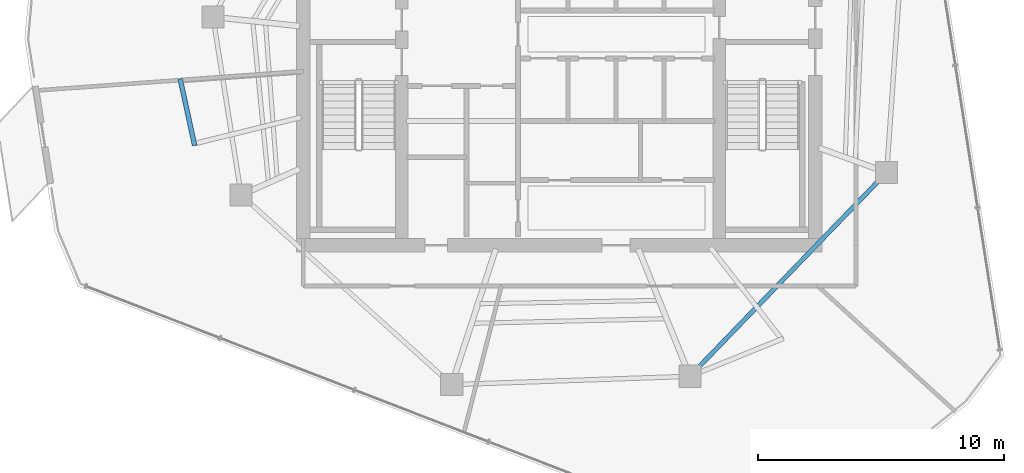
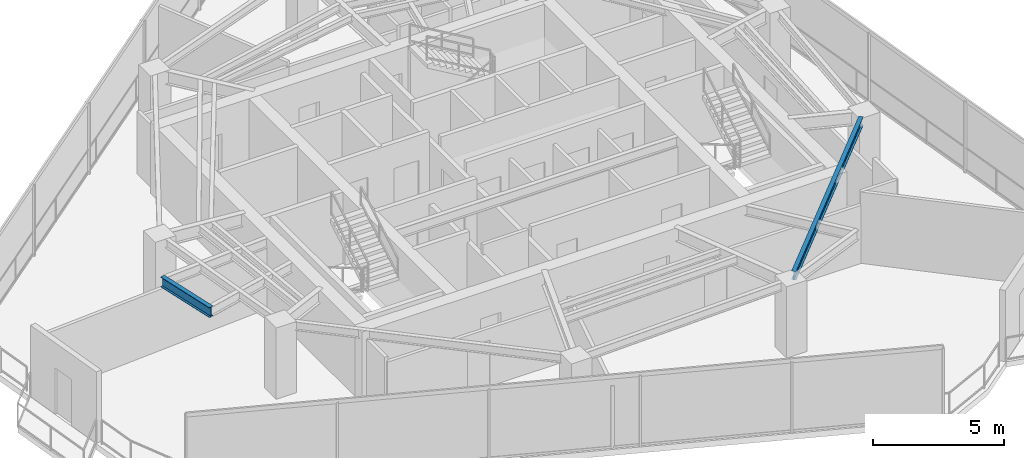
# One storey, part 5 of 19: 2 beams.
"""IFC4 building model written with IfcOpenShell, lengths in metres."""

from ifc_helpers import new_model, si_unit, direction, frame, origin, origin_2d, place, context, subcontext, project, spatial, i_section, extrude, material, material_profile, profile_set, type_object, element, save


model = new_model("IFC4")

# Units and contexts
model_context = context("Model", 3, precision=1e-05, world=origin(), true_north=direction((0.0, 1.0)))
body_context = subcontext(model_context, "Body", "Model", "MODEL_VIEW")
ifc_project = project(units=[si_unit("LENGTHUNIT", "METRE"), si_unit("AREAUNIT", "SQUARE_METRE"), si_unit("VOLUMEUNIT", "CUBIC_METRE"), si_unit("PLANEANGLEUNIT", "RADIAN"), si_unit("MASSUNIT", "GRAM", prefix="KILO")], contexts=[model_context])

# Site, building, storey
site_placement = place(None, origin())
site = spatial("IfcSite", under=ifc_project, at=site_placement, CompositionType="ELEMENT")
building_placement = place(site_placement, origin())
building = spatial("IfcBuilding", under=site, at=building_placement, Name="Qarnah Convention Tower", CompositionType="ELEMENT")
storey_placement = place(building_placement, frame((0.0, 0.0, 213.0)))
storey = spatial("IfcBuildingStorey", under=building, at=storey_placement, Name="L57", CompositionType="ELEMENT", Elevation=213.0)

# Beams
ifc_material = material(Name="Structural steel S355JR", Category="steel")
ifc_material_profile_1 = material_profile(ifc_material, i_section(OverallWidth=0.19189453125, OverallDepth=0.464111328125, WebThickness=0.010986328125, FlangeThickness=0.01806640625, at=origin_2d()), Name="W460X89")
ifc_profile_set_1 = profile_set([ifc_material_profile_1], Name="Structural steel S355JR")
beam_type_1 = type_object("IfcBeamType", Name="BM-CANT-W460A", PredefinedType="BEAM", material=ifc_profile_set_1)
beam_1_placement = place(storey_placement, frame((22.382080078125, 22.660888671875, 3.087890625), z_axis=(-0.212191546233, 0.977228094002, 0.0), x_axis=(-0.977228094002, -0.212191546233, 0.0)))
element("IfcBeam", 1, at=beam_1_placement, inside=storey, type_object=beam_type_1, Name="L57 spandrel BM-L57-CTIE-02", PredefinedType="SPANDREL", context=body_context, shape_type="SweptSolid", body=[
    extrude(i_section(OverallWidth=0.19189453125, OverallDepth=0.464111328125, WebThickness=0.010986328125, FlangeThickness=0.01806640625, at=origin_2d()), origin(), (0.0, 0.0, 1.0), 2.76708984375),
])
ifc_material_profile_2 = material_profile(ifc_material, i_section(OverallWidth=0.179931640625, OverallDepth=0.39990234375, WebThickness=0.009033203125, FlangeThickness=0.013916015625, at=origin_2d()), Name="IPE400")
ifc_profile_set_2 = profile_set([ifc_material_profile_2], Name="Structural steel S355JR")
beam_type_2 = type_object("IfcBeamType", Name="BM-SPN-IPE400", PredefinedType="SPANDREL", material=ifc_profile_set_2)
beam_2_placement = place(storey_placement, frame((42.806884765625, 13.596923828125, 3.1201171875), z_axis=(0.694676898282, 0.719321907767, 0.0), x_axis=(-0.719321907767, 0.694676898282, 0.0)))
element("IfcBeam", 2, at=beam_2_placement, inside=storey, type_object=beam_type_2, Name="L57 spandrel BM-L57-SPN-08", PredefinedType="SPANDREL", context=body_context, shape_type="SweptSolid", body=[
    extrude(i_section(OverallWidth=0.179931640625, OverallDepth=0.39990234375, WebThickness=0.009033203125, FlangeThickness=0.013916015625, at=origin_2d()), origin(), (0.0, 0.0, 1.0), 10.62939453125),
])

save(model, "model.ifc")
